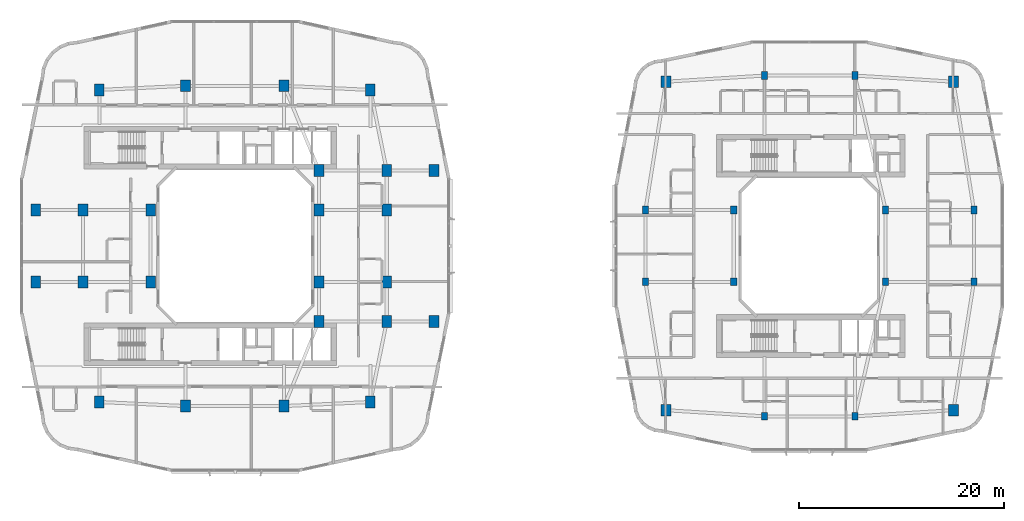
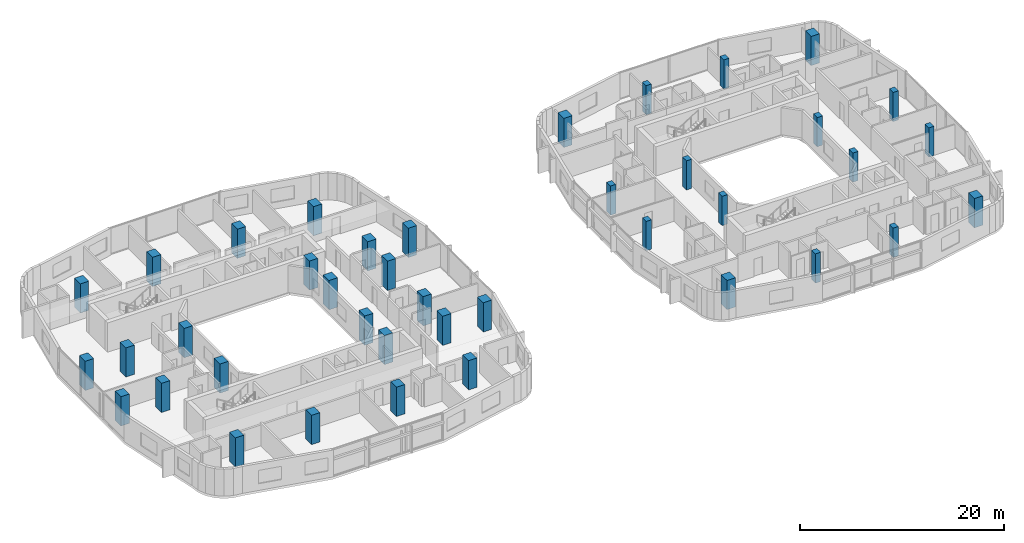
# One storey, part 1 of 27: 40 columns.
"""IFC4 building model written with IfcOpenShell, lengths in metres."""

from ifc_helpers import new_model, si_unit, derived_unit, direction, frame, origin, origin_2d, place, context, subcontext, project, spatial, rectangle, extrude, material, material_profile, profile_set, type_object, element, save


model = new_model("IFC4")

# Units and contexts
model_context = context("Model", 3, precision=1e-05, world=origin(), true_north=direction((0.0, 1.0)))
body_context = subcontext(model_context, "Body", "Model", "MODEL_VIEW")
ifc_project = project(units=[si_unit("LENGTHUNIT", "METRE"), si_unit("AREAUNIT", "SQUARE_METRE"), si_unit("VOLUMEUNIT", "CUBIC_METRE"), si_unit("PLANEANGLEUNIT", "RADIAN"), si_unit("MASSUNIT", "GRAM", prefix="KILO"), derived_unit("THERMALTRANSMITTANCEUNIT", [(si_unit("POWERUNIT", "WATT"), 1), (si_unit("LENGTHUNIT", "METRE"), -2), (si_unit("THERMODYNAMICTEMPERATUREUNIT", "KELVIN"), -1)])], contexts=[model_context])

# Site, building, storey
site_placement = place(None, origin())
site = spatial("IfcSite", under=ifc_project, at=site_placement, CompositionType="ELEMENT")
building_placement = place(site_placement, origin())
building = spatial("IfcBuilding", under=site, at=building_placement, Name="Kivonza Crest Hotel", CompositionType="ELEMENT")
storey_placement = place(building_placement, frame((0.0, 0.0, 73.0)))
storey = spatial("IfcBuildingStorey", under=building, at=storey_placement, Name="L19", CompositionType="ELEMENT", Elevation=73.0)

# Columns
ifc_material_1 = material(Name="Concrete C60/75", Category="concrete")
ifc_material_profile_1 = material_profile(ifc_material_1, rectangle(XDim=0.949951171875, YDim=1.14990234375, at=origin_2d()), Name="RC 1150x950")
ifc_profile_set_1 = profile_set([ifc_material_profile_1], Name="Concrete C60/75")
column_type_1 = type_object("IfcColumnType", Name="CL-RC-1150x950", PredefinedType="COLUMN", material=ifc_profile_set_1)
for number, where, z_axis, x_axis, name in (
    (1, (16.199951171875, 9.39990234375, 0.0), (0.0, 0.0, 1.0), (1.0, 0.0, 0.0), "Tower T1 L19 column S1"),
    (2, (25.800048828125, 9.39990234375, 0.0), (0.0, 0.0, 1.0), (1.0, 0.0, 0.0), "Tower T1 L19 column S2"),
    (3, (16.199951171875, 40.60009765625, 0.0), (0.0, 0.0, 1.0), (1.0, 0.0, 0.0), "Tower T1 L19 column N1"),
    (4, (25.800048828125, 40.60009765625, 0.0), (0.0, 0.0, 1.0), (1.0, 0.0, 0.0), "Tower T1 L19 column N2"),
    (5, (6.199951171875, 21.5, 0.0), (0.0, 0.0, 1.0), (1.0, 0.0, 0.0), "Tower T1 L19 column W1"),
    (6, (6.199951171875, 28.5, 0.0), (0.0, 0.0, 1.0), (1.0, 0.0, 0.0), "Tower T1 L19 column W2"),
    (7, (7.800048828125, 9.800048828125, 0.0), (0.0, 0.0, 1.0), (1.0, 0.0, 0.0), "Tower T1 L19 column SW"),
    (8, (34.199951171875, 9.800048828125, 0.0), (0.0, 0.0, 1.0), (1.0, 0.0, 0.0), "Tower T1 L19 column SE"),
    (9, (34.199951171875, 40.199951171875, 0.0), (0.0, 0.0, 1.0), (1.0, 0.0, 0.0), "Tower T1 L19 column NE"),
    (10, (7.800048828125, 40.199951171875, 0.0), (0.0, 0.0, 1.0), (1.0, 0.0, 0.0), "Tower T1 L19 column NW"),
    (11, (35.800048828125, 21.5, 0.0), (0.0, 0.0, 1.0), (1.0, 0.0, 0.0), "Tower T1 L19 column E1"),
    (12, (35.800048828125, 28.5, 0.0), (0.0, 0.0, 1.0), (1.0, 0.0, 0.0), "Tower T1 L19 column E2"),
    (13, (35.800048828125, 17.64990234375, 0.0), (0.0, 0.0, 1.0), (1.0, 0.0, 0.0), "Tower T1 L19 column PSE"),
    (14, (35.800048828125, 32.35009765625, 0.0), (0.0, 0.0, 1.0), (1.0, 0.0, 0.0), "Tower T1 L19 column PNE"),
    (15, (12.800048828125, 21.5, 0.0), (0.0, 0.0, 1.0), (1.0, 0.0, 0.0), "Tower T1 L19 column WL1"),
    (16, (12.800048828125, 28.5, 0.0), (0.0, 0.0, 1.0), (1.0, 0.0, 0.0), "Tower T1 L19 column WL2"),
    (17, (29.199951171875, 17.64990234375, 0.0), (0.0, 0.0, 1.0), (1.0, 0.0, 0.0), "Tower T1 L19 column TSE"),
    (18, (29.199951171875, 32.35009765625, 0.0), (0.0, 0.0, 1.0), (1.0, 0.0, 0.0), "Tower T1 L19 column TNE"),
    (19, (29.199951171875, 21.5, 0.0), (0.0, 0.0, 1.0), (1.0, 0.0, 0.0), "Tower T1 L19 column WR1"),
    (20, (29.199951171875, 28.5, 0.0), (0.0, 0.0, 1.0), (1.0, 0.0, 0.0), "Tower T1 L19 column WR2"),
    (21, (1.60009765625, 21.5, 0.0), (0.0, 0.0, 1.0), (1.0, 0.0, 0.0), "Tower T1 L19 column Z1W1"),
    (22, (1.60009765625, 28.5, 0.0), (0.0, 0.0, 1.0), (1.0, 0.0, 0.0), "Tower T1 L19 column Z1W2"),
    (23, (40.39990234375, 17.64990234375, 0.0), (0.0, 0.0, 1.0), (1.0, 0.0, 0.0), "Tower T1 L19 column Z1E1"),
    (24, (40.39990234375, 32.35009765625, 0.0), (0.0, 0.0, 1.0), (1.0, 0.0, 0.0), "Tower T1 L19 column Z1E2"),
    (25, (63.0, 9.0, 0.0), (0.0, 0.0, 1.0), (1.0, 0.0, 0.0), "Companion Tower T2 L19 column SW"),
    (26, (91.0, 9.0, 0.0), (0.0, 0.0, 1.0), (1.0, 0.0, 0.0), "Companion Tower T2 L19 column SE"),
    (27, (91.0, 41.0, 0.0), (0.0, 0.0, 1.0), (1.0, 0.0, 0.0), "Companion Tower T2 L19 column NE"),
    (28, (63.0, 41.0, 0.0), (0.0, 0.0, 1.0), (1.0, 0.0, 0.0), "Companion Tower T2 L19 column NW"),
):
    element("IfcColumn", number, at=place(storey_placement, frame(where, z_axis=z_axis, x_axis=x_axis)), inside=storey, type_object=column_type_1, Name=name, PredefinedType="COLUMN", context=body_context, shape_type="SweptSolid", body=[
        extrude(rectangle(XDim=0.949951171875, YDim=1.14990234375, at=origin_2d()), origin(), (0.0, 0.0, 1.0), 3.5),
    ])
ifc_material_2 = material(Name="Concrete C50/60", Category="concrete")
ifc_material_profile_2 = material_profile(ifc_material_2, rectangle(XDim=0.60009765625, YDim=0.75, at=origin_2d()), Name="RC 750x600")
ifc_profile_set_2 = profile_set([ifc_material_profile_2], Name="Concrete C50/60")
column_type_2 = type_object("IfcColumnType", Name="CL-RC-750x600", PredefinedType="COLUMN", material=ifc_profile_set_2)
for number, where, z_axis, x_axis, name in (
    (29, (72.60009765625, 8.39990234375, 0.0), (0.0, 0.0, 1.0), (1.0, 0.0, 0.0), "Companion Tower T2 L19 column S1"),
    (30, (81.39990234375, 8.39990234375, 0.0), (0.0, 0.0, 1.0), (1.0, 0.0, 0.0), "Companion Tower T2 L19 column S2"),
    (31, (72.60009765625, 41.60009765625, 0.0), (0.0, 0.0, 1.0), (1.0, 0.0, 0.0), "Companion Tower T2 L19 column N1"),
    (32, (81.39990234375, 41.60009765625, 0.0), (0.0, 0.0, 1.0), (1.0, 0.0, 0.0), "Companion Tower T2 L19 column N2"),
    (33, (61.0, 21.5, 0.0), (0.0, 0.0, 1.0), (1.0, 0.0, 0.0), "Companion Tower T2 L19 column W1"),
    (34, (61.0, 28.5, 0.0), (0.0, 0.0, 1.0), (1.0, 0.0, 0.0), "Companion Tower T2 L19 column W2"),
    (35, (93.0, 21.5, 0.0), (0.0, 0.0, 1.0), (1.0, 0.0, 0.0), "Companion Tower T2 L19 column E1"),
    (36, (93.0, 28.5, 0.0), (0.0, 0.0, 1.0), (1.0, 0.0, 0.0), "Companion Tower T2 L19 column E2"),
    (37, (69.60009765625, 21.5, 0.0), (0.0, 0.0, 1.0), (1.0, 0.0, 0.0), "Companion Tower T2 L19 column WL1"),
    (38, (69.60009765625, 28.5, 0.0), (0.0, 0.0, 1.0), (1.0, 0.0, 0.0), "Companion Tower T2 L19 column WL2"),
    (39, (84.39990234375, 21.5, 0.0), (0.0, 0.0, 1.0), (1.0, 0.0, 0.0), "Companion Tower T2 L19 column WR1"),
    (40, (84.39990234375, 28.5, 0.0), (0.0, 0.0, 1.0), (1.0, 0.0, 0.0), "Companion Tower T2 L19 column WR2"),
):
    element("IfcColumn", number, at=place(storey_placement, frame(where, z_axis=z_axis, x_axis=x_axis)), inside=storey, type_object=column_type_2, Name=name, PredefinedType="COLUMN", context=body_context, shape_type="SweptSolid", body=[
        extrude(rectangle(XDim=0.60009765625, YDim=0.75, at=origin_2d()), origin(), (0.0, 0.0, 1.0), 3.5),
    ])

save(model, "model.ifc")
